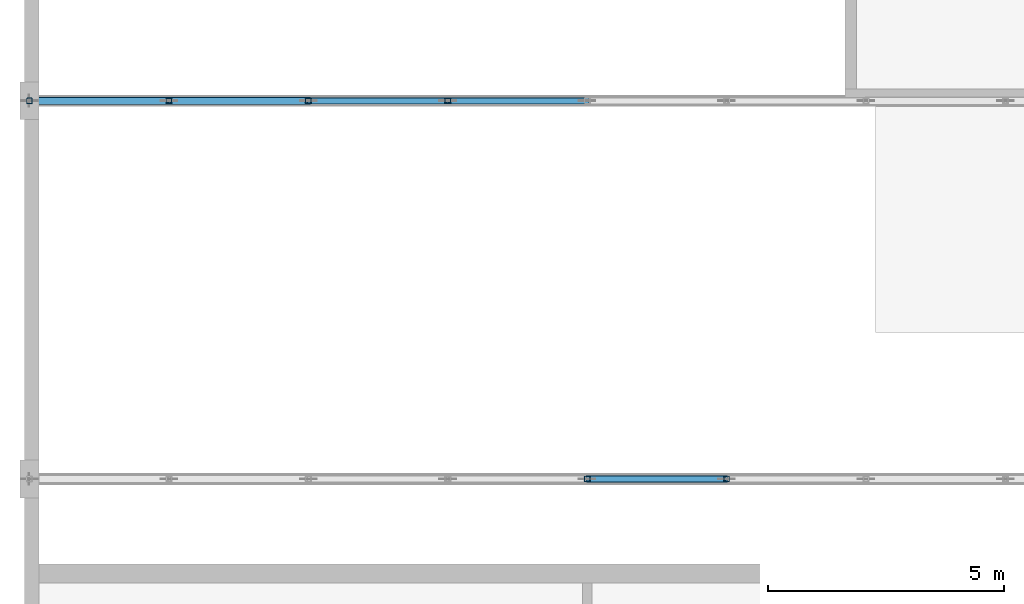
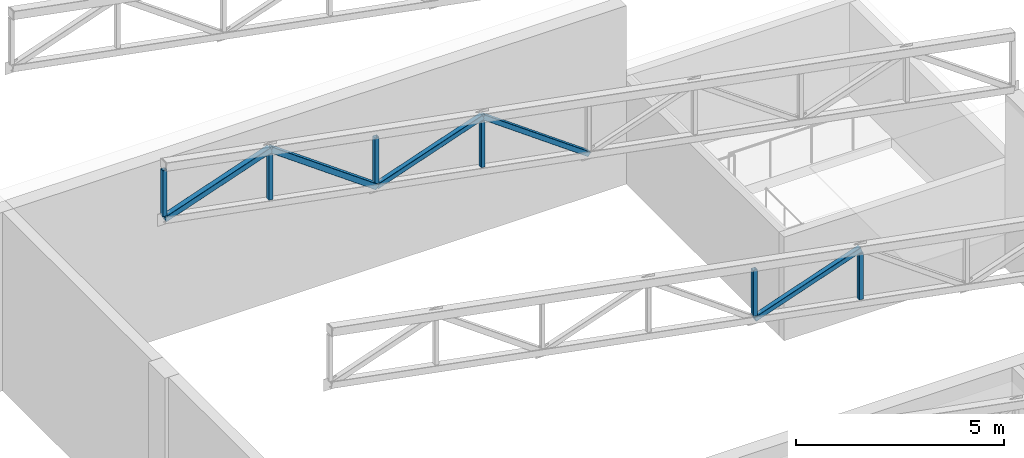
# One storey, part 14 of 125: 11 members.
"""IFC4 building model written with IfcOpenShell, lengths in metres."""

from ifc_helpers import new_model, si_unit, direction, frame, origin, origin_2d, place, context, subcontext, project, spatial, hollow_rectangle, extrude, material, material_profile, profile_set, type_object, element, save


model = new_model("IFC4")

# Units and contexts
model_context = context("Model", 3, precision=1e-05, world=origin(), true_north=direction((0.0, 1.0)))
body_context = subcontext(model_context, "Body", "Model", "MODEL_VIEW")
ifc_project = project(units=[si_unit("LENGTHUNIT", "METRE"), si_unit("AREAUNIT", "SQUARE_METRE"), si_unit("VOLUMEUNIT", "CUBIC_METRE"), si_unit("PLANEANGLEUNIT", "RADIAN"), si_unit("MASSUNIT", "GRAM", prefix="KILO")], contexts=[model_context])

# Site, building, storey
site_placement = place(None, origin())
site = spatial("IfcSite", under=ifc_project, at=site_placement, CompositionType="ELEMENT")
building_placement = place(site_placement, origin())
building = spatial("IfcBuilding", under=site, at=building_placement, Name="Sun Court Science Centre", CompositionType="ELEMENT")
storey_placement = place(building_placement, frame((0.0, 0.0, 6.0)))
storey = spatial("IfcBuildingStorey", under=building, at=storey_placement, Name="L01", CompositionType="ELEMENT", Elevation=6.0)

# Members
ifc_material_1 = material(Name="Steel S355", Category="steel")
ifc_material_profile_1 = material_profile(ifc_material_1, hollow_rectangle(XDim=0.139892578125, YDim=0.139892578125, WallThickness=0.008056640625, InnerFilletRadius=0.008056640625, OuterFilletRadius=0.011962890625, at=origin_2d()), Name="SHS 140x140x8")
ifc_profile_set_1 = profile_set([ifc_material_profile_1], Name="Steel S355")
member_type_1 = type_object("IfcMemberType", Name="Truss diagonal SHS 140x140x8", PredefinedType="BRACE", material=ifc_profile_set_1)
member_1_placement = place(storey_placement, frame((12.0, 56.0, 7.1298828125), z_axis=(0.944903296783, 0.0, 0.327349598637), x_axis=(0.0, 1.0, 0.0)))
element("IfcMember", 1, at=member_1_placement, inside=storey, type_object=member_type_1, Name="Roof truss 2 diagonal 5", PredefinedType="BRACE", context=body_context, shape_type="SweptSolid", body=[
    extrude(hollow_rectangle(XDim=0.139892578125, YDim=0.139892578125, WallThickness=0.008056640625, InnerFilletRadius=0.008056640625, OuterFilletRadius=0.011962890625, at=origin_2d()), origin(), (0.0, 0.0, 1.0), 3.1220703125),
])
member_2_placement = place(storey_placement, frame((6.10009765625, 64.0, 8.236328125), z_axis=(0.94492748348, 0.0, 0.327279774755), x_axis=(0.0, 1.0, 0.0)))
element("IfcMember", 2, at=member_2_placement, inside=storey, type_object=member_type_1, Name="Roof truss 3 diagonal 3", PredefinedType="BRACE", context=body_context, shape_type="SweptSolid", body=[
    extrude(hollow_rectangle(XDim=0.139892578125, YDim=0.139892578125, WallThickness=0.008056640625, InnerFilletRadius=0.008056640625, OuterFilletRadius=0.011962890625, at=origin_2d()), origin(), (0.0, 0.0, 1.0), 3.121826171875),
])
member_3_placement = place(storey_placement, frame((9.050048828125, 64.0, 9.258056640625), z_axis=(0.810985300315, 0.0, -0.585066528416), x_axis=(0.0, 1.0, 0.0)))
element("IfcMember", 3, at=member_3_placement, inside=storey, type_object=member_type_1, Name="Roof truss 3 diagonal 4", PredefinedType="BRACE", context=body_context, shape_type="SweptSolid", body=[
    extrude(hollow_rectangle(XDim=0.139892578125, YDim=0.139892578125, WallThickness=0.008056640625, InnerFilletRadius=0.008056640625, OuterFilletRadius=0.011962890625, at=origin_2d()), origin(), (0.0, 0.0, 1.0), 3.637451171875),
])
ifc_material_2 = material(Name="Steel S355", Category="steel")
ifc_material_profile_2 = material_profile(ifc_material_2, hollow_rectangle(XDim=0.159912109375, YDim=0.159912109375, WallThickness=0.008056640625, InnerFilletRadius=0.008056640625, OuterFilletRadius=0.011962890625, at=origin_2d()), Name="SHS 160x160x8")
ifc_profile_set_2 = profile_set([ifc_material_profile_2], Name="Steel S355")
member_type_2 = type_object("IfcMemberType", Name="Truss diagonal SHS 160x160x8", PredefinedType="BRACE", material=ifc_profile_set_2)
member_4_placement = place(storey_placement, frame((0.199951171875, 64.0, 9.342529296875), z_axis=(0.94492748348, 0.0, 0.327279774755), x_axis=(0.0, 1.0, 0.0)))
element("IfcMember", 4, at=member_4_placement, inside=storey, type_object=member_type_2, Name="Roof truss 3 diagonal 1", PredefinedType="BRACE", context=body_context, shape_type="SweptSolid", body=[
    extrude(hollow_rectangle(XDim=0.159912109375, YDim=0.159912109375, WallThickness=0.008056640625, InnerFilletRadius=0.008056640625, OuterFilletRadius=0.011962890625, at=origin_2d()), origin(), (0.0, 0.0, 1.0), 3.121826171875),
])
member_5_placement = place(storey_placement, frame((3.14990234375, 64.0, 10.3642578125), z_axis=(0.811040116677, 0.0, -0.58499053765), x_axis=(0.0, 1.0, 0.0)))
element("IfcMember", 5, at=member_5_placement, inside=storey, type_object=member_type_2, Name="Roof truss 3 diagonal 2", PredefinedType="BRACE", context=body_context, shape_type="SweptSolid", body=[
    extrude(hollow_rectangle(XDim=0.159912109375, YDim=0.159912109375, WallThickness=0.008056640625, InnerFilletRadius=0.008056640625, OuterFilletRadius=0.011962890625, at=origin_2d()), origin(), (0.0, 0.0, 1.0), 3.637451171875),
])
ifc_material_3 = material(Name="Steel S355", Category="steel")
ifc_material_profile_3 = material_profile(ifc_material_3, hollow_rectangle(XDim=0.1201171875, YDim=0.1201171875, WallThickness=0.008056640625, InnerFilletRadius=0.008056640625, OuterFilletRadius=0.011962890625, at=origin_2d()), Name="SHS 120x120x8")
ifc_profile_set_3 = profile_set([ifc_material_profile_3], Name="Steel S355")
member_type_3 = type_object("IfcMemberType", Name="Truss post SHS 120x120x8", PredefinedType="POST", material=ifc_profile_set_3)
for number, where, z_axis, x_axis, name in (
    (6, (12.0, 56.0, 7.22998046875), (0.0, 0.0, 1.0), (1.0, 0.0, 0.0), "Roof truss 2 post 5"),
    (7, (14.949951171875, 56.0, 6.6767578125), (0.0, 0.0, 1.0), (1.0, 0.0, 0.0), "Roof truss 2 post 6"),
    (8, (0.199951171875, 64.0, 9.4423828125), (0.0, 0.0, 1.0), (1.0, 0.0, 0.0), "Roof truss 3 post 1"),
):
    element("IfcMember", number, at=place(storey_placement, frame(where, z_axis=z_axis, x_axis=x_axis)), inside=storey, type_object=member_type_3, Name=name, PredefinedType="POST", context=body_context, shape_type="SweptSolid", body=[
        extrude(hollow_rectangle(XDim=0.1201171875, YDim=0.1201171875, WallThickness=0.008056640625, InnerFilletRadius=0.008056640625, OuterFilletRadius=0.011962890625, at=origin_2d()), origin(), (0.0, 0.0, 1.0), 1.35009765625),
    ])
member_6_placement = place(storey_placement, frame((3.14990234375, 64.0, 8.889404296875), z_axis=(0.0, 0.0, 1.0), x_axis=(1.0, 0.0, 0.0)))
element("IfcMember", 9, at=member_6_placement, inside=storey, type_object=member_type_3, Name="Roof truss 3 post 2", PredefinedType="POST", context=body_context, shape_type="SweptSolid", body=[
    extrude(hollow_rectangle(XDim=0.1201171875, YDim=0.1201171875, WallThickness=0.008056640625, InnerFilletRadius=0.008056640625, OuterFilletRadius=0.011962890625, at=origin_2d()), origin(), (0.0, 0.0, 1.0), 1.349853515625),
])
member_7_placement = place(storey_placement, frame((6.10009765625, 64.0, 8.336181640625), z_axis=(0.0, 0.0, 1.0), x_axis=(1.0, 0.0, 0.0)))
element("IfcMember", 10, at=member_7_placement, inside=storey, type_object=member_type_3, Name="Roof truss 3 post 3", PredefinedType="POST", context=body_context, shape_type="SweptSolid", body=[
    extrude(hollow_rectangle(XDim=0.1201171875, YDim=0.1201171875, WallThickness=0.008056640625, InnerFilletRadius=0.008056640625, OuterFilletRadius=0.011962890625, at=origin_2d()), origin(), (0.0, 0.0, 1.0), 1.35009765625),
])
member_8_placement = place(storey_placement, frame((9.050048828125, 64.0, 7.783203125), z_axis=(0.0, 0.0, 1.0), x_axis=(1.0, 0.0, 0.0)))
element("IfcMember", 11, at=member_8_placement, inside=storey, type_object=member_type_3, Name="Roof truss 3 post 4", PredefinedType="POST", context=body_context, shape_type="SweptSolid", body=[
    extrude(hollow_rectangle(XDim=0.1201171875, YDim=0.1201171875, WallThickness=0.008056640625, InnerFilletRadius=0.008056640625, OuterFilletRadius=0.011962890625, at=origin_2d()), origin(), (0.0, 0.0, 1.0), 1.349853515625),
])

save(model, "model.ifc")
